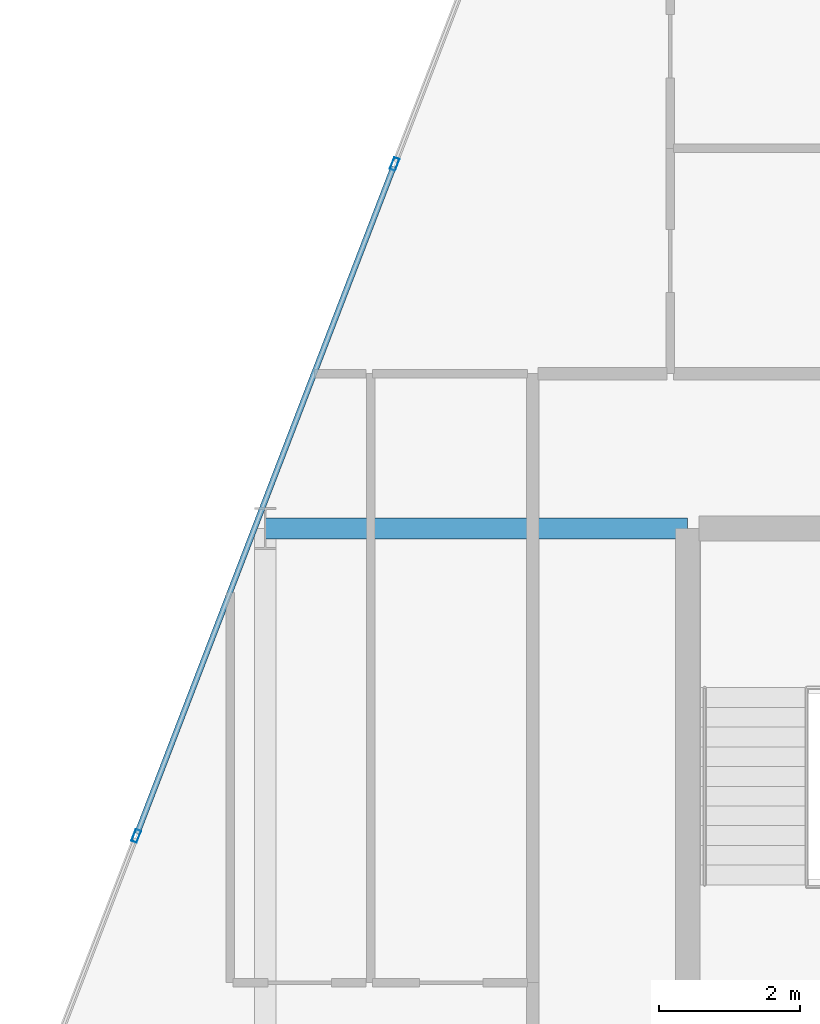
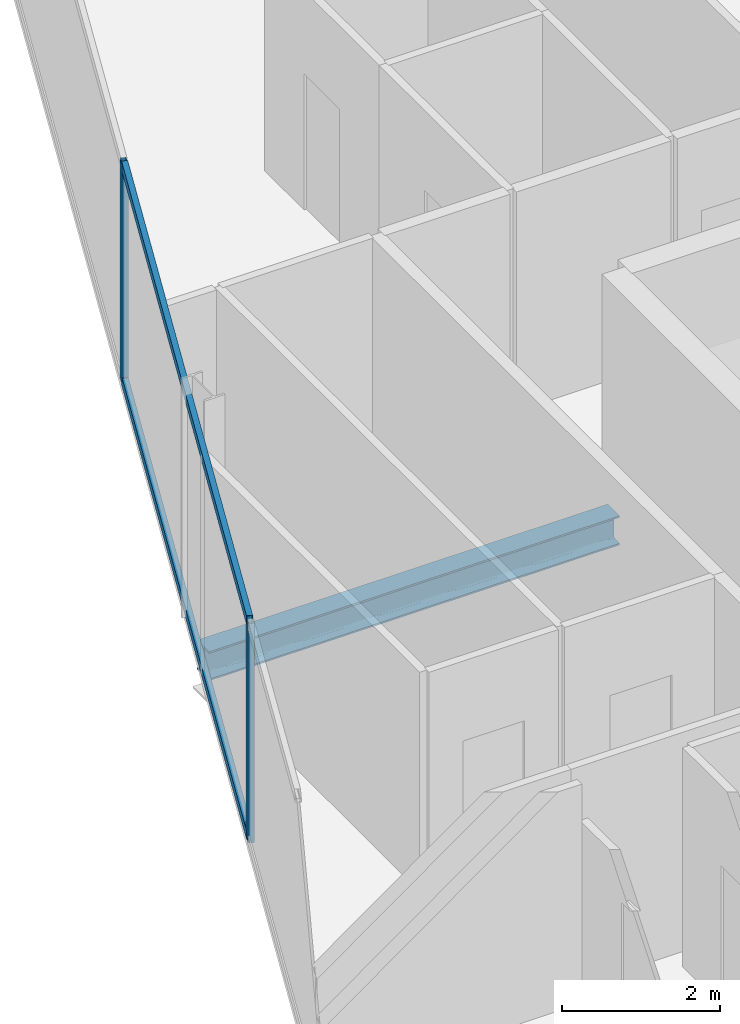
# One storey, part 14 of 30: 4 members, 1 beam, 1 element without a shape of its own.
"""IFC4 building model written with IfcOpenShell, lengths in metres."""

from ifc_helpers import new_model, si_unit, direction, frame, origin, origin_2d, place, context, subcontext, project, spatial, hollow_rectangle, i_section, extrude, material, layer, layer_set, material_profile, profile_set, type_object, element, aggregate, save


model = new_model("IFC4")

# Units and contexts
model_context = context("Model", 3, precision=1e-05, world=origin(), true_north=direction((0.0, 1.0)))
body_context = subcontext(model_context, "Body", "Model", "MODEL_VIEW")
ifc_project = project(units=[si_unit("LENGTHUNIT", "METRE"), si_unit("AREAUNIT", "SQUARE_METRE"), si_unit("VOLUMEUNIT", "CUBIC_METRE"), si_unit("PLANEANGLEUNIT", "RADIAN"), si_unit("MASSUNIT", "GRAM", prefix="KILO")], contexts=[model_context])

# Site, building, storey
site_placement = place(None, origin())
site = spatial("IfcSite", under=ifc_project, at=site_placement, CompositionType="ELEMENT")
building_placement = place(site_placement, origin())
building = spatial("IfcBuilding", under=site, at=building_placement, Name="Keshet Zoharim Tower", CompositionType="ELEMENT")
storey_placement = place(building_placement, frame((0.0, 0.0, 90.89990234375)))
storey = spatial("IfcBuildingStorey", under=building, at=storey_placement, Name="L21", CompositionType="ELEMENT", Elevation=90.89990234375)

# Beam
ifc_material_1 = material(Name="Steel S355", Category="steel")
ifc_material_profile_1 = material_profile(ifc_material_1, i_section(OverallWidth=0.300048828125, OverallDepth=0.449951171875, WebThickness=0.013916015625, FlangeThickness=0.02587890625, FilletRadius=0.027099609375, at=origin_2d()), Name="HEB450")
ifc_profile_set_1 = profile_set([ifc_material_profile_1], Name="Steel S355")
beam_type = type_object("IfcBeamType", Name="BM-WEB-HB450", PredefinedType="BEAM", material=ifc_profile_set_1)
beam_placement = place(storey_placement, frame((9.0, 37.89990234375, -0.539794921875), z_axis=(1.0, 0.0, 0.0), x_axis=(0.0, 1.0, 0.0)))
element("IfcBeam", 1, at=beam_placement, inside=storey, type_object=beam_type, Name="L21 Primary Girder X-018", PredefinedType="BEAM", context=body_context, shape_type="SweptSolid", body=[
    extrude(i_section(OverallWidth=0.300048828125, OverallDepth=0.449951171875, WebThickness=0.013916015625, FlangeThickness=0.02587890625, FilletRadius=0.027099609375, at=origin_2d()), origin(), (0.0, 0.0, 1.0), 6.0),
])

# Curtain wall, members
ifc_material_2 = material(Name="Aluminium 6063-T6", Category="aluminium")
ifc_layer = layer(ifc_material_2, 0.159912109375)
ifc_layer_set = layer_set([ifc_layer], Name="Aluminium 6063-T6")
curtain_wall_type = type_object("IfcCurtainWallType", Name="CW-SYS-03", PredefinedType="NOTDEFINED", material=ifc_layer_set)
curtain_wall_placement = place(storey_placement, origin())
curtain_wall = element("IfcCurtainWall", 2, at=curtain_wall_placement, inside=storey, type_object=curtain_wall_type, Name="L21 Unitised Curtain Wall 10", PredefinedType="NOTDEFINED")
ifc_material_profile_2 = material_profile(ifc_material_2, hollow_rectangle(XDim=0.080078125, YDim=0.179931640625, WallThickness=0.00439453125, at=origin_2d()), Name="MUL-80x180")
ifc_profile_set_2 = profile_set([ifc_material_profile_2], Name="Aluminium 6063-T6")
member_type_1 = type_object("IfcMemberType", Name="CWM-M18", PredefinedType="MULLION", material=ifc_profile_set_2)
member_1_placement = place(storey_placement, frame((7.1669921875, 33.53466796875, 0.0), z_axis=(0.0, 0.0, 1.0), x_axis=(-0.933341404361, 0.358990003907, 0.0)))
member_1 = element("IfcMember", 3, at=member_1_placement, type_object=member_type_1, Name="CW-03 mullion 2", PredefinedType="MULLION", context=body_context, shape_type="SweptSolid", body=[
    extrude(hollow_rectangle(XDim=0.080078125, YDim=0.179931640625, WallThickness=0.00439453125, at=origin_2d()), origin(), (0.0, 0.0, 1.0), 3.385009765625),
])
member_2_placement = place(storey_placement, frame((10.8369140625, 43.076416015625, 0.0), z_axis=(0.0, 0.0, 1.0), x_axis=(-0.933341404361, 0.358990003907, 0.0)))
member_2 = element("IfcMember", 4, at=member_2_placement, type_object=member_type_1, Name="CW-03 mullion 3", PredefinedType="MULLION", context=body_context, shape_type="SweptSolid", body=[
    extrude(hollow_rectangle(XDim=0.080078125, YDim=0.179931640625, WallThickness=0.00439453125, at=origin_2d()), origin(), (0.0, 0.0, 1.0), 3.385009765625),
])
ifc_material_profile_3 = material_profile(ifc_material_2, hollow_rectangle(XDim=0.080078125, YDim=0.139892578125, WallThickness=0.00390625, at=origin_2d()), Name="TRN-80x140")
ifc_profile_set_3 = profile_set([ifc_material_profile_3], Name="Aluminium 6063-T6")
member_type_2 = type_object("IfcMemberType", Name="CWT-T14", PredefinedType="USERDEFINED", material=ifc_profile_set_3)
member_3_placement = place(storey_placement, frame((7.179443359375, 33.5673828125, 0.03515625), z_axis=(0.359003248899, 0.933336309848, 0.0), x_axis=(-0.933336309848, 0.359003248899, 0.0)))
member_3 = element("IfcMember", 5, at=member_3_placement, type_object=member_type_2, Name="CW-03 transom 2.1", ObjectType="TRANSOM", PredefinedType="USERDEFINED", context=body_context, shape_type="SweptSolid", body=[
    extrude(hollow_rectangle(XDim=0.080078125, YDim=0.139892578125, WallThickness=0.00390625, at=origin_2d()), origin(), (0.0, 0.0, 1.0), 10.153076171875),
])
member_4_placement = place(storey_placement, frame((7.179443359375, 33.5673828125, 3.35009765625), z_axis=(0.359003248899, 0.933336309848, 0.0), x_axis=(-0.933336309848, 0.359003248899, 0.0)))
member_4 = element("IfcMember", 6, at=member_4_placement, type_object=member_type_2, Name="CW-03 transom 2.2", ObjectType="TRANSOM", PredefinedType="USERDEFINED", context=body_context, shape_type="SweptSolid", body=[
    extrude(hollow_rectangle(XDim=0.080078125, YDim=0.139892578125, WallThickness=0.00390625, at=origin_2d()), origin(), (0.0, 0.0, 1.0), 10.153076171875),
])
aggregate(curtain_wall, [member_1, member_2, member_3, member_4])

save(model, "model.ifc")
